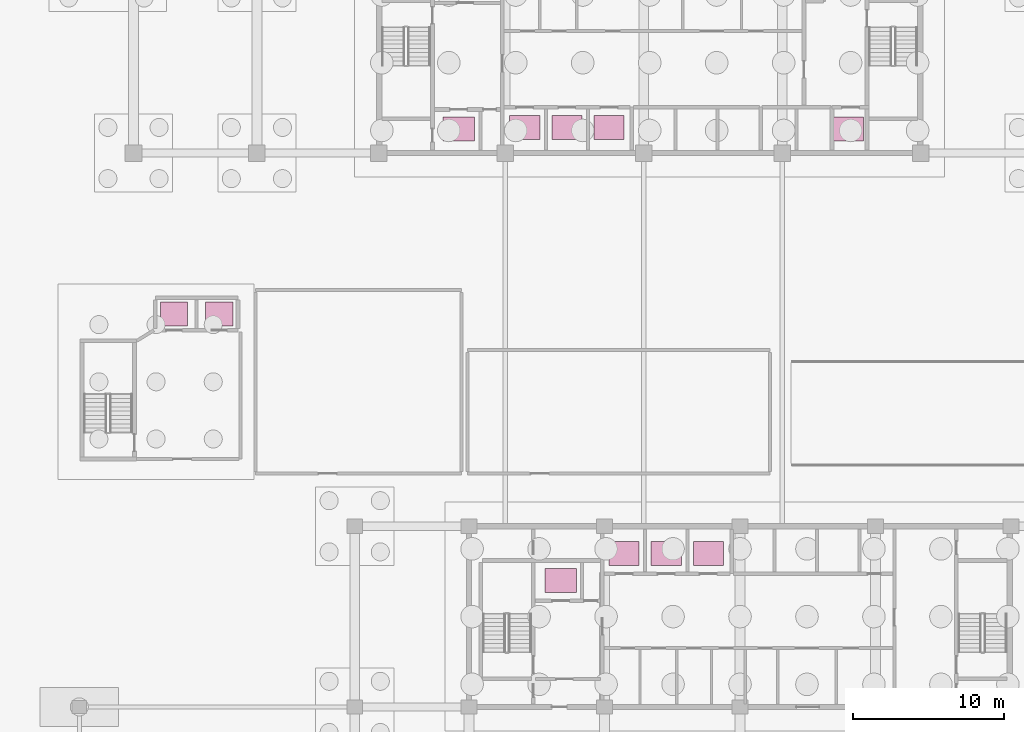
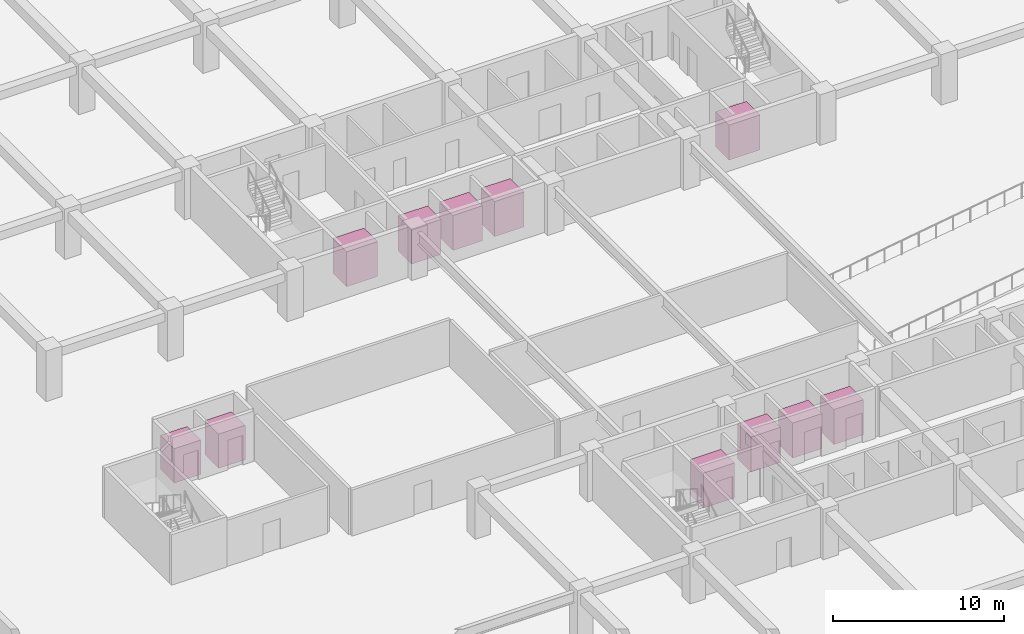
# One storey, part 26 of 26: 11 transport elements.
"""IFC4 building model written with IfcOpenShell, lengths in metres."""

import ifcopenshell
import ifcopenshell.guid

model = None  # the IFC model being written
_history = None  # IfcOwnerHistory: only IFC2X3 demands one
_inside = {}  # id of a spatial element -> (the spatial element, [elements in it])
_under = {}  # id of a project, library or spatial element -> (it, [spatial elements below it])
_declared = {}  # id of a project -> (the project, [libraries it declares])
_typed = {}  # id of a type object -> (the type object, [elements of that type])
_made_of = {}  # id of a material, layer set ... -> (it, [elements and type objects made of it])


def new_model(schema):
    """Start an empty IFC model of exactly this schema.

    Asked for "IFC4X3", IfcOpenShell would pick the latest addendum, in which some entities
    have other attributes; the version numbers below select the first issue.
    IFC2X3 requires an IfcOwnerHistory on every rooted entity: one is made here for all.
    """
    global model, _history
    if schema == "IFC4X3":
        model = ifcopenshell.file(schema_version=(4, 3, 0, 0))
    else:
        model = ifcopenshell.file(schema=schema)
    _inside.clear()
    _under.clear()
    _declared.clear()
    _typed.clear()
    _made_of.clear()
    _history = None
    if model.schema == "IFC2X3":
        org = make("IfcOrganization", Name="unknown")
        user = make(
            "IfcPersonAndOrganization",
            ThePerson=make("IfcPerson", FamilyName="unknown"),
            TheOrganization=org,
        )
        app = make(
            "IfcApplication",
            ApplicationDeveloper=org,
            Version="unknown",
            ApplicationFullName="unknown",
            ApplicationIdentifier="unknown",
        )
        _history = make(
            "IfcOwnerHistory",
            OwningUser=user,
            OwningApplication=app,
            ChangeAction="ADDED",
            CreationDate=0,
        )
    return model


def make(cls, **values):
    """One entity of the class cls with the attributes given. An attribute that is None is left unset."""
    return model.create_entity(
        cls, **{name: value for name, value in values.items() if value is not None}
    )


def rooted(cls, **values):
    """An entity with a GlobalId (a new one), such as an element, a storey or a relation."""
    return make(cls, GlobalId=ifcopenshell.guid.new(), OwnerHistory=_history, **values)


def si_unit(unit_type, name, prefix=None):
    """IfcSIUnit, for example si_unit("LENGTHUNIT", "METRE", prefix="MILLI")."""
    return make("IfcSIUnit", UnitType=unit_type, Prefix=prefix, Name=name)


def assignment(units):
    """IfcUnitAssignment: the units of a project."""
    return None if units is None else make("IfcUnitAssignment", Units=units)


def point(xyz):
    """IfcCartesianPoint."""
    return None if xyz is None else make("IfcCartesianPoint", Coordinates=xyz)


def direction(xyz):
    """IfcDirection."""
    return None if xyz is None else make("IfcDirection", DirectionRatios=xyz)


def frame(location, z_axis=None, x_axis=None):
    """IfcAxis2Placement3D, a coordinate frame: its origin and axes. An axis left out is left unset."""
    return make(
        "IfcAxis2Placement3D",
        Location=point(location),
        Axis=direction(z_axis),
        RefDirection=direction(x_axis),
    )


def frame_2d(location, x_axis=None):
    """IfcAxis2Placement2D, a coordinate frame in the plane: its origin and x axis."""
    return make(
        "IfcAxis2Placement2D", Location=point(location), RefDirection=direction(x_axis)
    )


def origin():
    """The frame at (0, 0, 0) with its axes left unset."""
    return frame((0.0, 0.0, 0.0))


def origin_2d():
    """The frame at (0, 0) in the plane with its x axis left unset."""
    return frame_2d((0.0, 0.0))


def place(relative_to, where):
    """IfcLocalPlacement: puts the frame where relative to a parent placement (None: the world)."""
    return make(
        "IfcLocalPlacement", PlacementRelTo=relative_to, RelativePlacement=where
    )


def context(
    kind, dimensions, precision=None, world=None, true_north=None, identifier=None
):
    """IfcGeometricRepresentationContext, for example the 3D "Model" context."""
    return make(
        "IfcGeometricRepresentationContext",
        ContextIdentifier=identifier,
        ContextType=kind,
        CoordinateSpaceDimension=dimensions,
        Precision=precision,
        WorldCoordinateSystem=world,
        TrueNorth=true_north,
    )


def subcontext(parent, identifier, kind, view, scale=None):
    """IfcGeometricRepresentationSubContext, for example "Body" below "Model"."""
    return make(
        "IfcGeometricRepresentationSubContext",
        ContextIdentifier=identifier,
        ContextType=kind,
        ParentContext=parent,
        TargetScale=scale,
        TargetView=view,
    )


def project(units=None, contexts=None):
    """IfcProject with its units and contexts."""
    return rooted(
        "IfcProject",
        Name="project",
        RepresentationContexts=contexts,
        UnitsInContext=assignment(units),
    )


def spatial(cls, under=None, at=None, **own):
    """A site, building, storey or space (cls), placed at a placement, below another one or the project."""
    s = rooted(cls, ObjectPlacement=at, **own)
    if under is not None:
        _under.setdefault(under.id(), (under, []))[1].append(s)
    return s


def profile(cls, at=None, kind="AREA", **sizes):
    """A parametric profile (cls). Its sizes go by their IFC names, for example OverallWidth=200.0."""
    return make(cls, ProfileType=kind, Position=at, **sizes)


def rectangle(**sizes):
    """IfcRectangleProfileDef."""
    return profile("IfcRectangleProfileDef", **sizes)


def extrude(swept, where, along, depth):
    """IfcExtrudedAreaSolid: the profile swept, set in the frame where, extruded along a direction by depth."""
    return make(
        "IfcExtrudedAreaSolid",
        SweptArea=swept,
        Position=where,
        ExtrudedDirection=direction(along),
        Depth=depth,
    )


def shape(context_of_items, identifier, shape_type, items):
    """IfcShapeRepresentation: the items that make up one representation, for example the "Body"."""
    return make(
        "IfcShapeRepresentation",
        ContextOfItems=context_of_items,
        RepresentationIdentifier=identifier,
        RepresentationType=shape_type,
        Items=items,
    )


def material(Name=None, Category=None):
    """IfcMaterial."""
    return make("IfcMaterial", Name=Name, Category=Category)


def made_of(thing, what):
    """Note that an element or type object is made of a material, layer set ...; save() writes the relation."""
    if what is not None:
        _made_of.setdefault(what.id(), (what, []))[1].append(thing)
    return thing


def type_object(cls, material=None, **own):
    """A type object (cls), such as IfcWallType, which elements share."""
    return made_of(rooted(cls, **own), material)


def element(
    cls,
    number,
    at=None,
    inside=None,
    cuts=None,
    type_object=None,
    material=None,
    context=None,
    identifier="Body",
    shape_type=None,
    held_by="IfcProductDefinitionShape",
    body=None,
    shapes=None,
    **own,
):
    """One element of the class cls, such as IfcWall. Its Tag is "e" and its number.

    at: its placement. inside: the storey or other place that contains it. cuts: it is an
    opening in that element (IfcRelVoidsElement). A single representation is given by context,
    identifier, shape_type and body (its items); several are given by shapes. held_by: the class
    of the entity that holds the representations. save() writes the other relations.
    """
    e = rooted(cls, Tag="e%d" % number, ObjectPlacement=at, **own)
    if body is not None:
        shapes = [shape(context, identifier, shape_type, body)]
    if shapes is not None:
        e.Representation = make(held_by, Representations=shapes)
    if inside is not None:
        _inside.setdefault(inside.id(), (inside, []))[1].append(e)
    if cuts is not None:
        rooted(
            "IfcRelVoidsElement", RelatingBuildingElement=cuts, RelatedOpeningElement=e
        )
    if type_object is not None:
        _typed.setdefault(type_object.id(), (type_object, []))[1].append(e)
    return made_of(e, material)


def aggregate(whole, parts):
    """IfcRelAggregates: a whole, such as a stair, and the parts it consists of."""
    return rooted("IfcRelAggregates", RelatingObject=whole, RelatedObjects=parts)


def save(model, path):
    """Write the relations noted so far, then the file.

    IfcRelAggregates (storeys below a building ...), IfcRelContainedInSpatialStructure (elements
    in a storey), IfcRelDefinesByType, IfcRelAssociatesMaterial and IfcRelDeclares: one each for
    every whole, place, type object, material and project.
    """
    for whole, parts in _under.values():
        aggregate(whole, parts)
    for where, things in _inside.values():
        rooted(
            "IfcRelContainedInSpatialStructure",
            RelatedElements=things,
            RelatingStructure=where,
        )
    for kind, things in _typed.values():
        rooted("IfcRelDefinesByType", RelatedObjects=things, RelatingType=kind)
    for what, things in _made_of.values():
        rooted("IfcRelAssociatesMaterial", RelatedObjects=things, RelatingMaterial=what)
    for by, libraries in _declared.values():
        rooted("IfcRelDeclares", RelatingContext=by, RelatedDefinitions=libraries)
    model.write(path)


model = new_model("IFC4")

# Units and contexts
model_context = context("Model", 3, precision=1e-05, world=origin(), true_north=direction((0.0, 1.0)))
body_context = subcontext(model_context, "Body", "Model", "MODEL_VIEW")
ifc_project = project(units=[si_unit("LENGTHUNIT", "METRE"), si_unit("AREAUNIT", "SQUARE_METRE"), si_unit("VOLUMEUNIT", "CUBIC_METRE"), si_unit("PLANEANGLEUNIT", "RADIAN"), si_unit("MASSUNIT", "GRAM", prefix="KILO")], contexts=[model_context])

# Site, building, storey
site_placement = place(None, origin())
site = spatial("IfcSite", under=ifc_project, at=site_placement, CompositionType="ELEMENT")
building_placement = place(site_placement, origin())
building = spatial("IfcBuilding", under=site, at=building_placement, Name="Korimba Cascade Residences", CompositionType="ELEMENT")
storey_placement = place(building_placement, frame((0.0, 0.0, -10.800048828125)))
storey = spatial("IfcBuildingStorey", under=building, at=storey_placement, Name="B03", CompositionType="ELEMENT", Elevation=-10.800048828125)

# Transport elements
ifc_material_1 = material(Name="Stainless Steel Firefighting Lift Car", Category="steel")
transport_element_type_1 = type_object("IfcTransportElementType", Name="LIFT-FFL-1600", PredefinedType="ELEVATOR", material=ifc_material_1)
for number, where, z_axis, x_axis, name in (
    (1, (81.39990234375, 56.800048828125, 0.0), (0.0, 0.0, 1.0), (1.0, 0.0, 0.0), "Firefighting Lift FFL-W1"),
    (2, (107.25, 56.800048828125, 0.0), (0.0, 0.0, 1.0), (1.0, 0.0, 0.0), "Firefighting Lift FFL-W2"),
    (3, (88.199951171875, 26.800048828125, 0.0), (0.0, 0.0, 1.0), (1.0, 0.0, 0.0), "Firefighting Lift FFL-E1"),
):
    element("IfcTransportElement", number, at=place(storey_placement, frame(where, z_axis=z_axis, x_axis=x_axis)), inside=storey, type_object=transport_element_type_1, Name=name, PredefinedType="ELEVATOR", context=body_context, shape_type="SweptSolid", body=[
        extrude(rectangle(XDim=2.10009765625, YDim=1.60009765625, at=origin_2d()), origin(), (0.0, 0.0, 1.0), 2.5),
    ])
ifc_material_2 = material(Name="Stainless Steel Passenger Lift Car", Category="steel")
transport_element_type_2 = type_object("IfcTransportElementType", Name="LIFT-PAS-1600", PredefinedType="ELEVATOR", material=ifc_material_2)
for number, where, z_axis, x_axis, name in (
    (4, (85.800048828125, 56.89990234375, 0.0), (0.0, 0.0, 1.0), (1.0, 0.0, 0.0), "Passenger Lift PL-W1"),
    (5, (88.60009765625, 56.89990234375, 0.0), (0.0, 0.0, 1.0), (1.0, 0.0, 0.0), "Passenger Lift PL-W2"),
    (6, (91.39990234375, 56.89990234375, 0.0), (0.0, 0.0, 1.0), (1.0, 0.0, 0.0), "Passenger Lift PL-W3"),
    (7, (92.39990234375, 28.60009765625, 0.0), (0.0, 0.0, 1.0), (1.0, 0.0, 0.0), "Passenger Lift PL-E1"),
    (8, (95.199951171875, 28.60009765625, 0.0), (0.0, 0.0, 1.0), (1.0, 0.0, 0.0), "Passenger Lift PL-E2"),
    (9, (98.0, 28.60009765625, 0.0), (0.0, 0.0, 1.0), (1.0, 0.0, 0.0), "Passenger Lift PL-E3"),
):
    element("IfcTransportElement", number, at=place(storey_placement, frame(where, z_axis=z_axis, x_axis=x_axis)), inside=storey, type_object=transport_element_type_2, Name=name, PredefinedType="ELEVATOR", context=body_context, shape_type="SweptSolid", body=[
        extrude(rectangle(XDim=2.0, YDim=1.60009765625, at=origin_2d()), origin(), (0.0, 0.0, 1.0), 2.5),
    ])
ifc_material_3 = material(Name="Glazed Podium Shuttle Lift Car", Category="steel")
transport_element_type_3 = type_object("IfcTransportElementType", Name="LIFT-SHU-1350", PredefinedType="ELEVATOR", material=ifc_material_3)
for number, where, z_axis, x_axis, name in (
    (10, (62.5, 44.5, 0.0), (0.0, 0.0, 1.0), (1.0, 0.0, 0.0), "Podium Shuttle Lift PL-P1"),
    (11, (65.5, 44.5, 0.0), (0.0, 0.0, 1.0), (1.0, 0.0, 0.0), "Podium Shuttle Lift PL-P2"),
):
    element("IfcTransportElement", number, at=place(storey_placement, frame(where, z_axis=z_axis, x_axis=x_axis)), inside=storey, type_object=transport_element_type_3, Name=name, PredefinedType="ELEVATOR", context=body_context, shape_type="SweptSolid", body=[
        extrude(rectangle(XDim=1.800048828125, YDim=1.60009765625, at=origin_2d()), origin(), (0.0, 0.0, 1.0), 2.449951171875),
    ])

save(model, "model.ifc")
